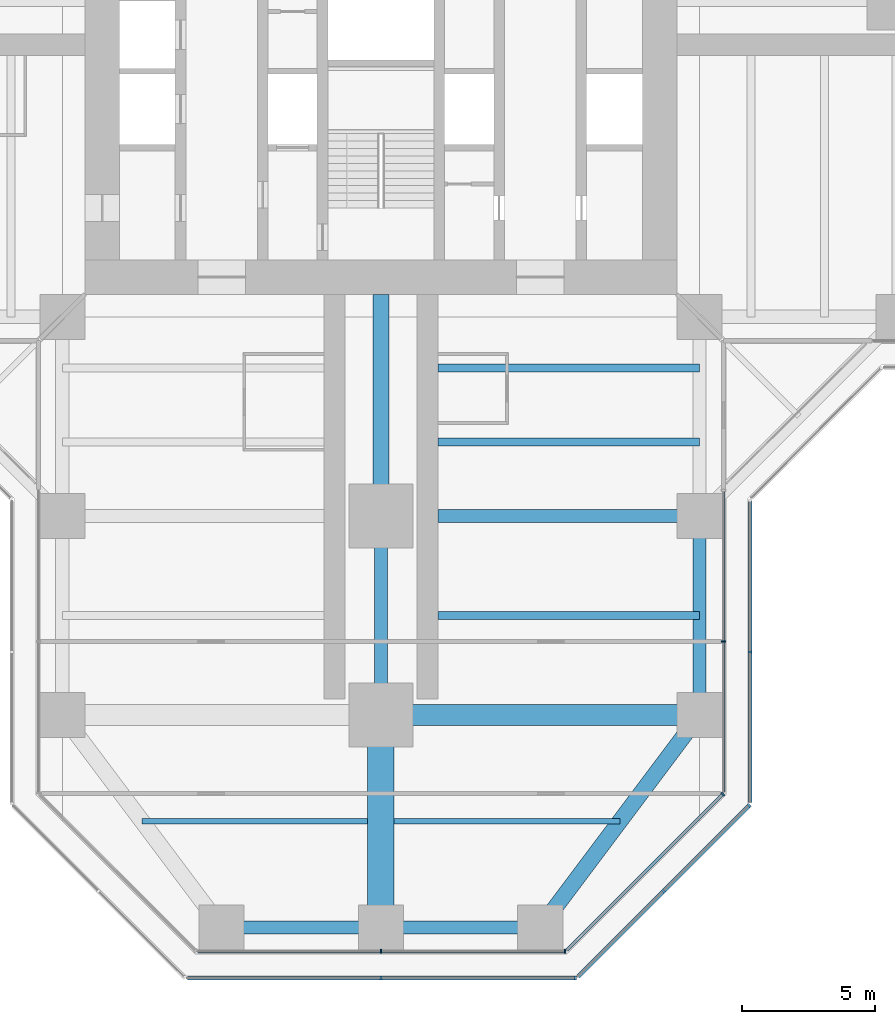
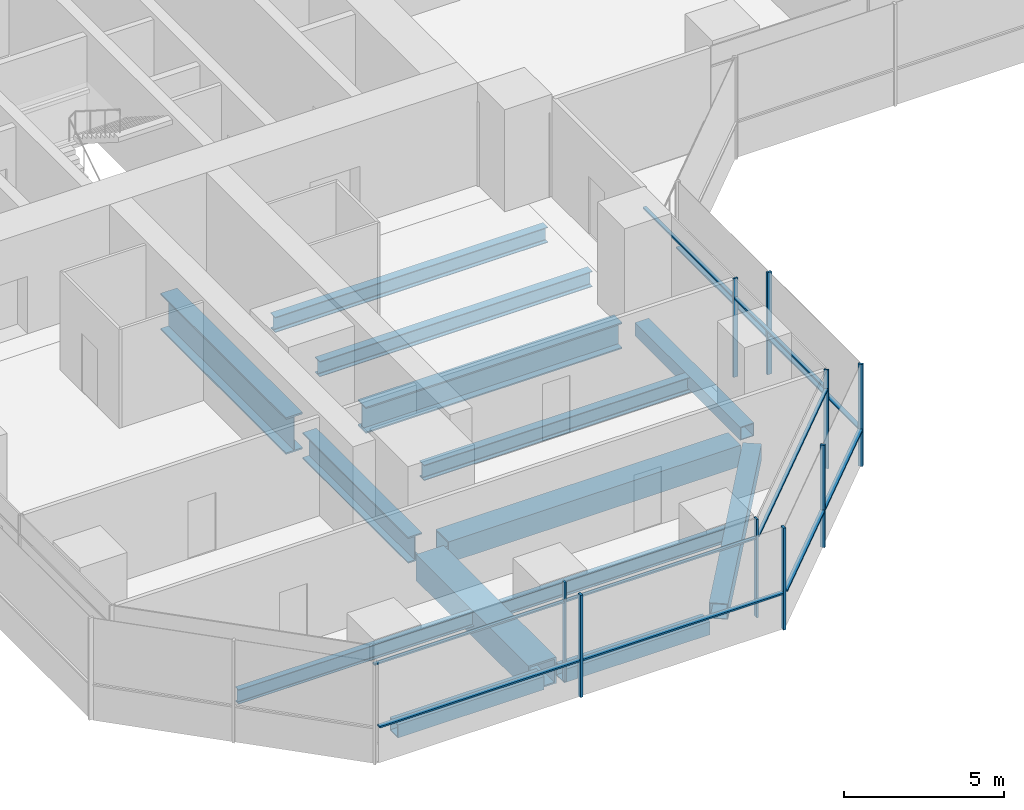
# One storey, part 5 of 22: 20 members, 14 beams, 6 elements without a shape of their own.
"""IFC4 building model written with IfcOpenShell, lengths in metres."""

import ifcopenshell
import ifcopenshell.guid

model = None  # the IFC model being written
_history = None  # IfcOwnerHistory: only IFC2X3 demands one
_inside = {}  # id of a spatial element -> (the spatial element, [elements in it])
_under = {}  # id of a project, library or spatial element -> (it, [spatial elements below it])
_declared = {}  # id of a project -> (the project, [libraries it declares])
_typed = {}  # id of a type object -> (the type object, [elements of that type])
_made_of = {}  # id of a material, layer set ... -> (it, [elements and type objects made of it])


def new_model(schema):
    """Start an empty IFC model of exactly this schema.

    Asked for "IFC4X3", IfcOpenShell would pick the latest addendum, in which some entities
    have other attributes; the version numbers below select the first issue.
    IFC2X3 requires an IfcOwnerHistory on every rooted entity: one is made here for all.
    """
    global model, _history
    if schema == "IFC4X3":
        model = ifcopenshell.file(schema_version=(4, 3, 0, 0))
    else:
        model = ifcopenshell.file(schema=schema)
    _inside.clear()
    _under.clear()
    _declared.clear()
    _typed.clear()
    _made_of.clear()
    _history = None
    if model.schema == "IFC2X3":
        org = make("IfcOrganization", Name="unknown")
        user = make(
            "IfcPersonAndOrganization",
            ThePerson=make("IfcPerson", FamilyName="unknown"),
            TheOrganization=org,
        )
        app = make(
            "IfcApplication",
            ApplicationDeveloper=org,
            Version="unknown",
            ApplicationFullName="unknown",
            ApplicationIdentifier="unknown",
        )
        _history = make(
            "IfcOwnerHistory",
            OwningUser=user,
            OwningApplication=app,
            ChangeAction="ADDED",
            CreationDate=0,
        )
    return model


def make(cls, **values):
    """One entity of the class cls with the attributes given. An attribute that is None is left unset."""
    return model.create_entity(
        cls, **{name: value for name, value in values.items() if value is not None}
    )


def rooted(cls, **values):
    """An entity with a GlobalId (a new one), such as an element, a storey or a relation."""
    return make(cls, GlobalId=ifcopenshell.guid.new(), OwnerHistory=_history, **values)


def si_unit(unit_type, name, prefix=None):
    """IfcSIUnit, for example si_unit("LENGTHUNIT", "METRE", prefix="MILLI")."""
    return make("IfcSIUnit", UnitType=unit_type, Prefix=prefix, Name=name)


def assignment(units):
    """IfcUnitAssignment: the units of a project."""
    return None if units is None else make("IfcUnitAssignment", Units=units)


def point(xyz):
    """IfcCartesianPoint."""
    return None if xyz is None else make("IfcCartesianPoint", Coordinates=xyz)


def direction(xyz):
    """IfcDirection."""
    return None if xyz is None else make("IfcDirection", DirectionRatios=xyz)


def frame(location, z_axis=None, x_axis=None):
    """IfcAxis2Placement3D, a coordinate frame: its origin and axes. An axis left out is left unset."""
    return make(
        "IfcAxis2Placement3D",
        Location=point(location),
        Axis=direction(z_axis),
        RefDirection=direction(x_axis),
    )


def frame_2d(location, x_axis=None):
    """IfcAxis2Placement2D, a coordinate frame in the plane: its origin and x axis."""
    return make(
        "IfcAxis2Placement2D", Location=point(location), RefDirection=direction(x_axis)
    )


def origin():
    """The frame at (0, 0, 0) with its axes left unset."""
    return frame((0.0, 0.0, 0.0))


def origin_2d():
    """The frame at (0, 0) in the plane with its x axis left unset."""
    return frame_2d((0.0, 0.0))


def place(relative_to, where):
    """IfcLocalPlacement: puts the frame where relative to a parent placement (None: the world)."""
    return make(
        "IfcLocalPlacement", PlacementRelTo=relative_to, RelativePlacement=where
    )


def context(
    kind, dimensions, precision=None, world=None, true_north=None, identifier=None
):
    """IfcGeometricRepresentationContext, for example the 3D "Model" context."""
    return make(
        "IfcGeometricRepresentationContext",
        ContextIdentifier=identifier,
        ContextType=kind,
        CoordinateSpaceDimension=dimensions,
        Precision=precision,
        WorldCoordinateSystem=world,
        TrueNorth=true_north,
    )


def subcontext(parent, identifier, kind, view, scale=None):
    """IfcGeometricRepresentationSubContext, for example "Body" below "Model"."""
    return make(
        "IfcGeometricRepresentationSubContext",
        ContextIdentifier=identifier,
        ContextType=kind,
        ParentContext=parent,
        TargetScale=scale,
        TargetView=view,
    )


def project(units=None, contexts=None):
    """IfcProject with its units and contexts."""
    return rooted(
        "IfcProject",
        Name="project",
        RepresentationContexts=contexts,
        UnitsInContext=assignment(units),
    )


def spatial(cls, under=None, at=None, **own):
    """A site, building, storey or space (cls), placed at a placement, below another one or the project."""
    s = rooted(cls, ObjectPlacement=at, **own)
    if under is not None:
        _under.setdefault(under.id(), (under, []))[1].append(s)
    return s


def profile(cls, at=None, kind="AREA", **sizes):
    """A parametric profile (cls). Its sizes go by their IFC names, for example OverallWidth=200.0."""
    return make(cls, ProfileType=kind, Position=at, **sizes)


def rectangle(**sizes):
    """IfcRectangleProfileDef."""
    return profile("IfcRectangleProfileDef", **sizes)


def hollow_rectangle(**sizes):
    """IfcRectangleHollowProfileDef."""
    return profile("IfcRectangleHollowProfileDef", **sizes)


def i_section(**sizes):
    """IfcIShapeProfileDef."""
    return profile("IfcIShapeProfileDef", **sizes)


def extrude(swept, where, along, depth):
    """IfcExtrudedAreaSolid: the profile swept, set in the frame where, extruded along a direction by depth."""
    return make(
        "IfcExtrudedAreaSolid",
        SweptArea=swept,
        Position=where,
        ExtrudedDirection=direction(along),
        Depth=depth,
    )


def shape(context_of_items, identifier, shape_type, items):
    """IfcShapeRepresentation: the items that make up one representation, for example the "Body"."""
    return make(
        "IfcShapeRepresentation",
        ContextOfItems=context_of_items,
        RepresentationIdentifier=identifier,
        RepresentationType=shape_type,
        Items=items,
    )


def material(Name=None, Category=None):
    """IfcMaterial."""
    return make("IfcMaterial", Name=Name, Category=Category)


def material_profile(
    of_material, cross_section, Name=None, Category=None, Priority=None
):
    """IfcMaterialProfile: a cross section and its material."""
    return make(
        "IfcMaterialProfile",
        Name=Name,
        Material=of_material,
        Profile=cross_section,
        Priority=Priority,
        Category=Category,
    )


def profile_set(profiles, Name=None, composite=None):
    """IfcMaterialProfileSet."""
    return make(
        "IfcMaterialProfileSet",
        Name=Name,
        MaterialProfiles=profiles,
        CompositeProfile=composite,
    )


def made_of(thing, what):
    """Note that an element or type object is made of a material, layer set ...; save() writes the relation."""
    if what is not None:
        _made_of.setdefault(what.id(), (what, []))[1].append(thing)
    return thing


def type_object(cls, material=None, **own):
    """A type object (cls), such as IfcWallType, which elements share."""
    return made_of(rooted(cls, **own), material)


def element(
    cls,
    number,
    at=None,
    inside=None,
    cuts=None,
    type_object=None,
    material=None,
    context=None,
    identifier="Body",
    shape_type=None,
    held_by="IfcProductDefinitionShape",
    body=None,
    shapes=None,
    **own,
):
    """One element of the class cls, such as IfcWall. Its Tag is "e" and its number.

    at: its placement. inside: the storey or other place that contains it. cuts: it is an
    opening in that element (IfcRelVoidsElement). A single representation is given by context,
    identifier, shape_type and body (its items); several are given by shapes. held_by: the class
    of the entity that holds the representations. save() writes the other relations.
    """
    e = rooted(cls, Tag="e%d" % number, ObjectPlacement=at, **own)
    if body is not None:
        shapes = [shape(context, identifier, shape_type, body)]
    if shapes is not None:
        e.Representation = make(held_by, Representations=shapes)
    if inside is not None:
        _inside.setdefault(inside.id(), (inside, []))[1].append(e)
    if cuts is not None:
        rooted(
            "IfcRelVoidsElement", RelatingBuildingElement=cuts, RelatedOpeningElement=e
        )
    if type_object is not None:
        _typed.setdefault(type_object.id(), (type_object, []))[1].append(e)
    return made_of(e, material)


def aggregate(whole, parts):
    """IfcRelAggregates: a whole, such as a stair, and the parts it consists of."""
    return rooted("IfcRelAggregates", RelatingObject=whole, RelatedObjects=parts)


def save(model, path):
    """Write the relations noted so far, then the file.

    IfcRelAggregates (storeys below a building ...), IfcRelContainedInSpatialStructure (elements
    in a storey), IfcRelDefinesByType, IfcRelAssociatesMaterial and IfcRelDeclares: one each for
    every whole, place, type object, material and project.
    """
    for whole, parts in _under.values():
        aggregate(whole, parts)
    for where, things in _inside.values():
        rooted(
            "IfcRelContainedInSpatialStructure",
            RelatedElements=things,
            RelatingStructure=where,
        )
    for kind, things in _typed.values():
        rooted("IfcRelDefinesByType", RelatedObjects=things, RelatingType=kind)
    for what, things in _made_of.values():
        rooted("IfcRelAssociatesMaterial", RelatedObjects=things, RelatingMaterial=what)
    for by, libraries in _declared.values():
        rooted("IfcRelDeclares", RelatingContext=by, RelatedDefinitions=libraries)
    model.write(path)


model = new_model("IFC4")

# Units and contexts
model_context = context("Model", 3, precision=1e-05, world=origin(), true_north=direction((0.0, 1.0)))
body_context = subcontext(model_context, "Body", "Model", "MODEL_VIEW")
ifc_project = project(units=[si_unit("LENGTHUNIT", "METRE"), si_unit("AREAUNIT", "SQUARE_METRE"), si_unit("VOLUMEUNIT", "CUBIC_METRE"), si_unit("PLANEANGLEUNIT", "RADIAN"), si_unit("MASSUNIT", "GRAM", prefix="KILO")], contexts=[model_context])

# Site, building, storey
site_placement = place(None, origin())
site = spatial("IfcSite", under=ifc_project, at=site_placement, CompositionType="ELEMENT")
building_placement = place(site_placement, origin())
building = spatial("IfcBuilding", under=site, at=building_placement, Name="Mizan Broadcast Tower", CompositionType="ELEMENT")
storey_placement = place(building_placement, frame((0.0, 0.0, 94.199951171875)))
storey = spatial("IfcBuildingStorey", under=building, at=storey_placement, Name="L20", CompositionType="ELEMENT", Elevation=94.199951171875)

# Beams
ifc_material_1 = material(Name="Steel S355", Category="steel")
ifc_material_profile_1 = material_profile(ifc_material_1, hollow_rectangle(XDim=0.5, YDim=0.5, WallThickness=0.030029296875, at=origin_2d()), Name="BOX 500x500x30")
ifc_profile_set_1 = profile_set([ifc_material_profile_1], Name="Steel S355")
beam_type_1 = type_object("IfcBeamType", Name="EDGE BEAM BOX 500x500x30", PredefinedType="SPANDREL", material=ifc_profile_set_1)
beam_1_placement = place(storey_placement, frame((-5.639892578125, -35.0, -0.3798828125), z_axis=(1.0, 0.0, 0.0), x_axis=(0.0, 1.0, 0.0)))
element("IfcBeam", 1, at=beam_1_placement, inside=storey, type_object=beam_type_1, Name="Edge beam BOX 500x500x30 L20 south arm", PredefinedType="SPANDREL", context=body_context, shape_type="SweptSolid", body=[
    extrude(hollow_rectangle(XDim=0.5, YDim=0.5, WallThickness=0.030029296875, at=origin_2d()), origin(), (0.0, 0.0, 1.0), 5.27978515625),
])
beam_2_placement = place(storey_placement, frame((12.0, -19.949951171875, -0.3798828125), z_axis=(0.0, -1.0, 0.0), x_axis=(1.0, 0.0, 0.0)))
element("IfcBeam", 2, at=beam_2_placement, inside=storey, type_object=beam_type_1, Name="Edge beam BOX 500x500x30 L20 south arm", PredefinedType="SPANDREL", context=body_context, shape_type="SweptSolid", body=[
    extrude(hollow_rectangle(XDim=0.5, YDim=0.5, WallThickness=0.030029296875, at=origin_2d()), origin(), (0.0, 0.0, 1.0), 6.60009765625),
])
beam_3_placement = place(storey_placement, frame((5.639892578125, -35.0, -0.3798828125), z_axis=(-1.0, 0.0, 0.0), x_axis=(0.0, -1.0, 0.0)))
element("IfcBeam", 3, at=beam_3_placement, inside=storey, type_object=beam_type_1, Name="Edge beam BOX 500x500x30 L20 south arm", PredefinedType="SPANDREL", context=body_context, shape_type="SweptSolid", body=[
    extrude(hollow_rectangle(XDim=0.5, YDim=0.5, WallThickness=0.030029296875, at=origin_2d()), origin(), (0.0, 0.0, 1.0), 5.27978515625),
])
ifc_material_2 = material(Name="Steel S355", Category="steel")
ifc_material_profile_2 = material_profile(ifc_material_2, hollow_rectangle(XDim=0.60009765625, YDim=0.60009765625, WallThickness=0.030029296875, at=origin_2d()), Name="BOX 600x600x30")
ifc_profile_set_2 = profile_set([ifc_material_profile_2], Name="Steel S355")
beam_type_2 = type_object("IfcBeamType", Name="EDGE BEAM BOX 600x600x30", PredefinedType="SPANDREL", material=ifc_profile_set_2)
beam_4_placement = place(storey_placement, frame((11.639892578125, -27.47998046875, -0.429931640625), z_axis=(-0.599982243973, -0.800013316712, 0.0), x_axis=(0.800013316712, -0.599982243973, 0.0)))
element("IfcBeam", 4, at=beam_4_placement, inside=storey, type_object=beam_type_2, Name="Edge beam BOX 600x600x30 L20 south arm", PredefinedType="SPANDREL", context=body_context, shape_type="SweptSolid", body=[
    extrude(hollow_rectangle(XDim=0.60009765625, YDim=0.60009765625, WallThickness=0.030029296875, at=origin_2d()), origin(), (0.0, 0.0, 1.0), 8.7998046875),
])
ifc_material_3 = material(Name="Steel S460", Category="steel")
ifc_material_profile_3 = material_profile(ifc_material_3, hollow_rectangle(XDim=1.0, YDim=1.0, WallThickness=0.06005859375, at=origin_2d()), Name="BOX 1000x1000x60")
ifc_profile_set_3 = profile_set([ifc_material_profile_3], Name="Steel S460")
beam_type_3 = type_object("IfcBeamType", Name="GIRDER BOX 1000x1000x60", PredefinedType="BEAM", material=ifc_profile_set_3)
beam_5_placement = place(storey_placement, frame((0.0, -27.47998046875, -0.6298828125), z_axis=(0.0, -1.0, 0.0), x_axis=(1.0, 0.0, 0.0)))
element("IfcBeam", 5, at=beam_5_placement, inside=storey, type_object=beam_type_3, Name="Girder BOX 1000x1000x60 L20 south arm", PredefinedType="BEAM", context=body_context, shape_type="SweptSolid", body=[
    extrude(hollow_rectangle(XDim=1.0, YDim=1.0, WallThickness=0.06005859375, at=origin_2d()), origin(), (0.0, 0.0, 1.0), 7.0400390625),
])
ifc_material_4 = material(Name="Steel S460", Category="steel")
ifc_material_profile_4 = material_profile(ifc_material_4, hollow_rectangle(XDim=0.800048828125, YDim=0.800048828125, WallThickness=0.050048828125, at=origin_2d()), Name="BOX 800x800x50")
ifc_profile_set_4 = profile_set([ifc_material_profile_4], Name="Steel S460")
beam_type_4 = type_object("IfcBeamType", Name="GIRDER BOX 800x800x50", PredefinedType="BEAM", material=ifc_profile_set_4)
beam_6_placement = place(storey_placement, frame((11.280029296875, -27.0, -0.530029296875), z_axis=(-1.0, 0.0, 0.0), x_axis=(0.0, -1.0, 0.0)))
element("IfcBeam", 6, at=beam_6_placement, inside=storey, type_object=beam_type_4, Name="Girder BOX 800x800x50 L20 south arm", PredefinedType="BEAM", context=body_context, shape_type="SweptSolid", body=[
    extrude(hollow_rectangle(XDim=0.800048828125, YDim=0.800048828125, WallThickness=0.050048828125, at=origin_2d()), origin(), (0.0, 0.0, 1.0), 10.56005859375),
])
ifc_material_5 = material(Name="Steel S460", Category="steel")
ifc_material_profile_5 = material_profile(ifc_material_5, i_section(OverallWidth=0.5, OverallDepth=1.0, WebThickness=0.02490234375, FlangeThickness=0.050048828125, at=origin_2d()), Name="WPG 1000x500")
ifc_profile_set_5 = profile_set([ifc_material_profile_5], Name="Steel S460")
beam_type_5 = type_object("IfcBeamType", Name="GIRDER WPG 1000x500", PredefinedType="BEAM", material=ifc_profile_set_5)
beam_7_placement = place(storey_placement, frame((0.0, -19.949951171875, -0.6298828125), z_axis=(0.0, -1.0, 0.0), x_axis=(1.0, 0.0, 0.0)))
element("IfcBeam", 7, at=beam_7_placement, inside=storey, type_object=beam_type_5, Name="Girder WPG 1000x500 L20 south arm", PredefinedType="BEAM", context=body_context, shape_type="SweptSolid", body=[
    extrude(i_section(OverallWidth=0.5, OverallDepth=1.0, WebThickness=0.02490234375, FlangeThickness=0.050048828125, at=origin_2d()), origin(), (0.0, 0.0, 1.0), 6.60009765625),
])
beam_8_placement = place(storey_placement, frame((11.408935546875, -19.5, -0.6298828125), z_axis=(-1.0, 0.0, 0.0), x_axis=(0.0, -1.0, 0.0)))
element("IfcBeam", 8, at=beam_8_placement, inside=storey, type_object=beam_type_5, Name="Girder WPG 1000x500 L20 south arm", PredefinedType="BEAM", context=body_context, shape_type="SweptSolid", body=[
    extrude(i_section(OverallWidth=0.5, OverallDepth=1.0, WebThickness=0.02490234375, FlangeThickness=0.050048828125, at=origin_2d()), origin(), (0.0, 0.0, 1.0), 9.259033203125),
])
ifc_material_6 = material(Name="Steel S460", Category="steel")
ifc_material_profile_6 = material_profile(ifc_material_6, i_section(OverallWidth=0.60009765625, OverallDepth=1.39990234375, WebThickness=0.02490234375, FlangeThickness=0.06005859375, at=origin_2d()), Name="WPG 1400x600")
ifc_profile_set_6 = profile_set([ifc_material_profile_6], Name="Steel S460")
beam_type_6 = type_object("IfcBeamType", Name="GIRDER WPG 1400x600", PredefinedType="BEAM", material=ifc_profile_set_6)
beam_9_placement = place(storey_placement, frame((0.0, -11.14990234375, -0.829833984375), z_axis=(0.0, -1.0, 0.0), x_axis=(1.0, 0.0, 0.0)))
element("IfcBeam", 9, at=beam_9_placement, inside=storey, type_object=beam_type_6, Name="Girder WPG 1400x600 L20 south arm", PredefinedType="BEAM", context=body_context, shape_type="SweptSolid", body=[
    extrude(i_section(OverallWidth=0.60009765625, OverallDepth=1.39990234375, WebThickness=0.02490234375, FlangeThickness=0.06005859375, at=origin_2d()), origin(), (0.0, 0.0, 1.0), 7.84912109375),
])

# Curtain wall, members
ifc_material_7 = material(Name="Aluminium framed glazing", Category="aluminium")
curtain_wall_type_1 = type_object("IfcCurtainWallType", Name="INNER SKIN LOW ZONE", PredefinedType="USERDEFINED", material=ifc_material_7)
curtain_wall_1_placement = place(storey_placement, origin())
curtain_wall_1 = element("IfcCurtainWall", 10, at=curtain_wall_1_placement, inside=storey, type_object=curtain_wall_type_1, Name="Inner skin low zone L20 S end", ObjectType="INNER SKIN LOW ZONE", PredefinedType="USERDEFINED")
ifc_material_8 = material(Name="Aluminium, pale anodised", Category="aluminium")
ifc_material_profile_7 = material_profile(ifc_material_8, rectangle(XDim=0.159912109375, YDim=0.06005859375, at=origin_2d()), Name="MULLION 160x60")
ifc_profile_set_7 = profile_set([ifc_material_profile_7], Name="Aluminium, pale anodised")
member_type_1 = type_object("IfcMemberType", Name="INNER SKIN MULLION 60x160", PredefinedType="MULLION", material=ifc_profile_set_7)
member_1_placement = place(storey_placement, frame((0.0, -35.89990234375, 0.0), z_axis=(0.0, 0.0, 1.0), x_axis=(0.0, 1.0, 0.0)))
member_1 = element("IfcMember", 11, at=member_1_placement, type_object=member_type_1, Name="Inner skin low zone L20 S end mullion 2", PredefinedType="MULLION", context=body_context, shape_type="SweptSolid", body=[
    extrude(rectangle(XDim=0.159912109375, YDim=0.06005859375, at=origin_2d()), origin(), (0.0, 0.0, 1.0), 3.77001953125),
])
member_2_placement = place(storey_placement, frame((6.928466796875, -35.89990234375, 0.0), z_axis=(0.0, 0.0, 1.0), x_axis=(0.0, 1.0, 0.0)))
member_2 = element("IfcMember", 12, at=member_2_placement, type_object=member_type_1, Name="Inner skin low zone L20 S end mullion 3", PredefinedType="MULLION", context=body_context, shape_type="SweptSolid", body=[
    extrude(rectangle(XDim=0.159912109375, YDim=0.06005859375, at=origin_2d()), origin(), (0.0, 0.0, 1.0), 3.77001953125),
])

# Curtain wall, member
curtain_wall_2_placement = place(storey_placement, origin())
curtain_wall_2 = element("IfcCurtainWall", 13, at=curtain_wall_2_placement, inside=storey, type_object=curtain_wall_type_1, Name="Inner skin low zone L20 S chamfer", ObjectType="INNER SKIN LOW ZONE", PredefinedType="USERDEFINED")
member_3_placement = place(storey_placement, frame((12.87890625, -29.979736328125, 0.0), z_axis=(0.0, 0.0, 1.0), x_axis=(-0.707106781187, 0.707106781187, 0.0)))
member_3 = element("IfcMember", 14, at=member_3_placement, type_object=member_type_1, Name="Inner skin low zone L20 S chamfer mullion 2", PredefinedType="MULLION", context=body_context, shape_type="SweptSolid", body=[
    extrude(rectangle(XDim=0.159912109375, YDim=0.06005859375, at=origin_2d()), origin(), (0.0, 0.0, 1.0), 3.77001953125),
])

curtain_wall_3_placement = place(storey_placement, origin())
curtain_wall_3 = element("IfcCurtainWall", 15, at=curtain_wall_3_placement, inside=storey, type_object=curtain_wall_type_1, Name="Inner skin low zone L20 S side", ObjectType="INNER SKIN LOW ZONE", PredefinedType="USERDEFINED")
member_4_placement = place(storey_placement, frame((12.89990234375, -24.229248046875, 0.0), z_axis=(0.0, 0.0, 1.0), x_axis=(-1.0, 0.0, 0.0)))
member_4 = element("IfcMember", 16, at=member_4_placement, type_object=member_type_1, Name="Inner skin low zone L20 S side mullion 2", PredefinedType="MULLION", context=body_context, shape_type="SweptSolid", body=[
    extrude(rectangle(XDim=0.159912109375, YDim=0.06005859375, at=origin_2d()), origin(), (0.0, 0.0, 1.0), 3.77001953125),
])

# Member
ifc_material_9 = material(Name="Aluminium, pale anodised", Category="aluminium")
ifc_material_profile_8 = material_profile(ifc_material_9, rectangle(XDim=0.1201171875, YDim=0.06005859375, at=origin_2d()), Name="TRANSOM 120x60")
ifc_profile_set_8 = profile_set([ifc_material_profile_8], Name="Aluminium, pale anodised")
member_type_2 = type_object("IfcMemberType", Name="INNER SKIN TRANSOM 60x120", PredefinedType="USERDEFINED", material=ifc_profile_set_8)
member_5_placement = place(storey_placement, frame((-6.898681640625, -35.89990234375, 3.030029296875), z_axis=(1.0, 0.0, 0.0), x_axis=(0.0, 1.0, 0.0)))
member_5 = element("IfcMember", 17, at=member_5_placement, type_object=member_type_2, Name="Inner skin low zone L20 S end transom 1.1", ObjectType="TRANSOM", PredefinedType="USERDEFINED", context=body_context, shape_type="SweptSolid", body=[
    extrude(rectangle(XDim=0.1201171875, YDim=0.06005859375, at=origin_2d()), origin(), (0.0, 0.0, 1.0), 6.86865234375),
])

member_6_placement = place(storey_placement, frame((0.030029296875, -35.89990234375, 3.030029296875), z_axis=(1.0, 0.0, 0.0), x_axis=(0.0, 1.0, 0.0)))
member_6 = element("IfcMember", 18, at=member_6_placement, type_object=member_type_2, Name="Inner skin low zone L20 S end transom 2.1", ObjectType="TRANSOM", PredefinedType="USERDEFINED", context=body_context, shape_type="SweptSolid", body=[
    extrude(rectangle(XDim=0.1201171875, YDim=0.06005859375, at=origin_2d()), origin(), (0.0, 0.0, 1.0), 6.86865234375),
])

aggregate(curtain_wall_1, [member_1, member_2, member_5, member_6])

member_7_placement = place(storey_placement, frame((7.0009765625, -35.857666015625, 3.030029296875), z_axis=(0.707106781187, 0.707106781187, 0.0), x_axis=(-0.707106781187, 0.707106781187, 0.0)))
member_7 = element("IfcMember", 19, at=member_7_placement, type_object=member_type_2, Name="Inner skin low zone L20 S chamfer transom 1.1", ObjectType="TRANSOM", PredefinedType="USERDEFINED", context=body_context, shape_type="SweptSolid", body=[
    extrude(rectangle(XDim=0.1201171875, YDim=0.06005859375, at=origin_2d()), origin(), (0.0, 0.0, 1.0), 8.28271484375),
])

aggregate(curtain_wall_2, [member_3, member_7])

member_8_placement = place(storey_placement, frame((12.89990234375, -29.898681640625, 3.030029296875), z_axis=(0.0, 1.0, 0.0), x_axis=(-1.0, 0.0, 0.0)))
member_8 = element("IfcMember", 20, at=member_8_placement, type_object=member_type_2, Name="Inner skin low zone L20 S side transom 1.1", ObjectType="TRANSOM", PredefinedType="USERDEFINED", context=body_context, shape_type="SweptSolid", body=[
    extrude(rectangle(XDim=0.1201171875, YDim=0.06005859375, at=origin_2d()), origin(), (0.0, 0.0, 1.0), 5.639404296875),
])

member_9_placement = place(storey_placement, frame((12.89990234375, -24.19921875, 3.030029296875), z_axis=(0.0, 1.0, 0.0), x_axis=(-1.0, 0.0, 0.0)))
member_9 = element("IfcMember", 21, at=member_9_placement, type_object=member_type_2, Name="Inner skin low zone L20 S side transom 2.1", ObjectType="TRANSOM", PredefinedType="USERDEFINED", context=body_context, shape_type="SweptSolid", body=[
    extrude(rectangle(XDim=0.1201171875, YDim=0.06005859375, at=origin_2d()), origin(), (0.0, 0.0, 1.0), 5.63916015625),
])

aggregate(curtain_wall_3, [member_4, member_8, member_9])

# Curtain wall, members
ifc_material_10 = material(Name="Aluminium framed glazing", Category="aluminium")
curtain_wall_type_2 = type_object("IfcCurtainWallType", Name="OUTER SKIN", PredefinedType="USERDEFINED", material=ifc_material_10)
curtain_wall_4_placement = place(storey_placement, origin())
curtain_wall_4 = element("IfcCurtainWall", 22, at=curtain_wall_4_placement, inside=storey, type_object=curtain_wall_type_2, Name="Outer skin L20 S end", ObjectType="OUTER SKIN", PredefinedType="USERDEFINED")
ifc_material_11 = material(Name="Aluminium, pale anodised", Category="aluminium")
ifc_material_profile_9 = material_profile(ifc_material_11, rectangle(XDim=0.159912109375, YDim=0.080078125, at=origin_2d()), Name="MULLION 160x80")
ifc_profile_set_9 = profile_set([ifc_material_profile_9], Name="Aluminium, pale anodised")
member_type_3 = type_object("IfcMemberType", Name="OUTER SKIN MULLION 80x160", PredefinedType="MULLION", material=ifc_profile_set_9)
member_10_placement = place(storey_placement, frame((0.0, -36.89990234375, 0.0), z_axis=(0.0, 0.0, 1.0), x_axis=(0.0, 1.0, 0.0)))
member_10 = element("IfcMember", 23, at=member_10_placement, type_object=member_type_3, Name="Outer skin L20 S end mullion 2", PredefinedType="MULLION", context=body_context, shape_type="SweptSolid", body=[
    extrude(rectangle(XDim=0.159912109375, YDim=0.080078125, at=origin_2d()), origin(), (0.0, 0.0, 1.0), 3.900146484375),
])
member_11_placement = place(storey_placement, frame((7.332763671875, -36.89990234375, 0.0), z_axis=(0.0, 0.0, 1.0), x_axis=(0.0, 1.0, 0.0)))
member_11 = element("IfcMember", 24, at=member_11_placement, type_object=member_type_3, Name="Outer skin L20 S end mullion 3", PredefinedType="MULLION", context=body_context, shape_type="SweptSolid", body=[
    extrude(rectangle(XDim=0.159912109375, YDim=0.080078125, at=origin_2d()), origin(), (0.0, 0.0, 1.0), 3.900146484375),
])

curtain_wall_5_placement = place(storey_placement, origin())
curtain_wall_5 = element("IfcCurtainWall", 25, at=curtain_wall_5_placement, inside=storey, type_object=curtain_wall_type_2, Name="Outer skin L20 S chamfer", ObjectType="OUTER SKIN", PredefinedType="USERDEFINED")
member_12_placement = place(storey_placement, frame((10.636474609375, -33.636474609375, 0.0), z_axis=(0.0, 0.0, 1.0), x_axis=(-0.707106781187, 0.707106781187, 0.0)))
member_12 = element("IfcMember", 26, at=member_12_placement, type_object=member_type_3, Name="Outer skin L20 S chamfer mullion 2", PredefinedType="MULLION", context=body_context, shape_type="SweptSolid", body=[
    extrude(rectangle(XDim=0.159912109375, YDim=0.080078125, at=origin_2d()), origin(), (0.0, 0.0, 1.0), 3.900146484375),
])
member_13_placement = place(storey_placement, frame((13.871826171875, -30.401123046875, 0.0), z_axis=(0.0, 0.0, 1.0), x_axis=(-0.707106781187, 0.707106781187, 0.0)))
member_13 = element("IfcMember", 27, at=member_13_placement, type_object=member_type_3, Name="Outer skin L20 S chamfer mullion 3", PredefinedType="MULLION", context=body_context, shape_type="SweptSolid", body=[
    extrude(rectangle(XDim=0.159912109375, YDim=0.080078125, at=origin_2d()), origin(), (0.0, 0.0, 1.0), 3.900146484375),
])

# Curtain wall, member
curtain_wall_6_placement = place(storey_placement, origin())
curtain_wall_6 = element("IfcCurtainWall", 28, at=curtain_wall_6_placement, inside=storey, type_object=curtain_wall_type_2, Name="Outer skin L20 S side", ObjectType="OUTER SKIN", PredefinedType="USERDEFINED")
member_14_placement = place(storey_placement, frame((13.89990234375, -24.622802734375, 0.0), z_axis=(0.0, 0.0, 1.0), x_axis=(-1.0, 0.0, 0.0)))
member_14 = element("IfcMember", 29, at=member_14_placement, type_object=member_type_3, Name="Outer skin L20 S side mullion 2", PredefinedType="MULLION", context=body_context, shape_type="SweptSolid", body=[
    extrude(rectangle(XDim=0.159912109375, YDim=0.080078125, at=origin_2d()), origin(), (0.0, 0.0, 1.0), 3.900146484375),
])

# Member
ifc_material_12 = material(Name="Aluminium, pale anodised", Category="aluminium")
ifc_material_profile_10 = material_profile(ifc_material_12, rectangle(XDim=0.159912109375, YDim=0.06005859375, at=origin_2d()), Name="TRANSOM 160x60")
ifc_profile_set_10 = profile_set([ifc_material_profile_10], Name="Aluminium, pale anodised")
member_type_4 = type_object("IfcMemberType", Name="OUTER SKIN TRANSOM 60x160", PredefinedType="USERDEFINED", material=ifc_profile_set_10)
member_15_placement = place(storey_placement, frame((-7.292724609375, -36.89990234375, 1.400146484375), z_axis=(1.0, 0.0, 0.0), x_axis=(0.0, 1.0, 0.0)))
member_15 = element("IfcMember", 30, at=member_15_placement, type_object=member_type_4, Name="Outer skin L20 S end transom 1.1", ObjectType="TRANSOM", PredefinedType="USERDEFINED", context=body_context, shape_type="SweptSolid", body=[
    extrude(rectangle(XDim=0.159912109375, YDim=0.06005859375, at=origin_2d()), origin(), (0.0, 0.0, 1.0), 7.252685546875),
])

member_16_placement = place(storey_placement, frame((0.0400390625, -36.89990234375, 1.400146484375), z_axis=(1.0, 0.0, 0.0), x_axis=(0.0, 1.0, 0.0)))
member_16 = element("IfcMember", 31, at=member_16_placement, type_object=member_type_4, Name="Outer skin L20 S end transom 2.1", ObjectType="TRANSOM", PredefinedType="USERDEFINED", context=body_context, shape_type="SweptSolid", body=[
    extrude(rectangle(XDim=0.159912109375, YDim=0.06005859375, at=origin_2d()), origin(), (0.0, 0.0, 1.0), 7.252685546875),
])

aggregate(curtain_wall_4, [member_10, member_11, member_15, member_16])

member_17_placement = place(storey_placement, frame((7.429443359375, -36.843505859375, 1.400146484375), z_axis=(0.707106781187, 0.707106781187, 0.0), x_axis=(-0.707106781187, 0.707106781187, 0.0)))
member_17 = element("IfcMember", 32, at=member_17_placement, type_object=member_type_4, Name="Outer skin L20 S chamfer transom 1.1", ObjectType="TRANSOM", PredefinedType="USERDEFINED", context=body_context, shape_type="SweptSolid", body=[
    extrude(rectangle(XDim=0.159912109375, YDim=0.06005859375, at=origin_2d()), origin(), (0.0, 0.0, 1.0), 4.495361328125),
])

member_18_placement = place(storey_placement, frame((10.664794921875, -33.608154296875, 1.400146484375), z_axis=(0.707106781187, 0.707106781187, 0.0), x_axis=(-0.707106781187, 0.707106781187, 0.0)))
member_18 = element("IfcMember", 33, at=member_18_placement, type_object=member_type_4, Name="Outer skin L20 S chamfer transom 2.1", ObjectType="TRANSOM", PredefinedType="USERDEFINED", context=body_context, shape_type="SweptSolid", body=[
    extrude(rectangle(XDim=0.159912109375, YDim=0.06005859375, at=origin_2d()), origin(), (0.0, 0.0, 1.0), 4.495361328125),
])

aggregate(curtain_wall_5, [member_12, member_13, member_17, member_18])

member_19_placement = place(storey_placement, frame((13.89990234375, -30.292724609375, 1.400146484375), z_axis=(0.0, 1.0, 0.0), x_axis=(-1.0, 0.0, 0.0)))
member_19 = element("IfcMember", 34, at=member_19_placement, type_object=member_type_4, Name="Outer skin L20 S side transom 1.1", ObjectType="TRANSOM", PredefinedType="USERDEFINED", context=body_context, shape_type="SweptSolid", body=[
    extrude(rectangle(XDim=0.159912109375, YDim=0.06005859375, at=origin_2d()), origin(), (0.0, 0.0, 1.0), 5.6298828125),
])

member_20_placement = place(storey_placement, frame((13.89990234375, -24.582763671875, 1.400146484375), z_axis=(0.0, 1.0, 0.0), x_axis=(-1.0, 0.0, 0.0)))
member_20 = element("IfcMember", 35, at=member_20_placement, type_object=member_type_4, Name="Outer skin L20 S side transom 2.1", ObjectType="TRANSOM", PredefinedType="USERDEFINED", context=body_context, shape_type="SweptSolid", body=[
    extrude(rectangle(XDim=0.159912109375, YDim=0.06005859375, at=origin_2d()), origin(), (0.0, 0.0, 1.0), 5.6298828125),
])

aggregate(curtain_wall_6, [member_14, member_19, member_20])

# Beams
ifc_material_13 = material(Name="Steel S355", Category="steel")
ifc_material_profile_11 = material_profile(ifc_material_13, i_section(OverallWidth=0.300048828125, OverallDepth=0.590087890625, WebThickness=0.012939453125, FlangeThickness=0.02490234375, FilletRadius=0.027099609375, at=origin_2d()), Name="HEA 600")
ifc_profile_set_11 = profile_set([ifc_material_profile_11], Name="Steel S355")
beam_type_7 = type_object("IfcBeamType", Name="SECONDARY BEAM HEA 600", PredefinedType="JOIST", material=ifc_profile_set_11)
for number, where, z_axis, x_axis, name in (
    (36, (12.0, -13.933349609375, -0.425048828125), (-1.0, 0.0, 0.0), (0.0, -1.0, 0.0), "Secondary beam HEA 600 L20 south arm"),
    (37, (12.0, -16.716552734375, -0.425048828125), (-1.0, 0.0, 0.0), (0.0, -1.0, 0.0), "Secondary beam HEA 600 L20 south arm"),
    (38, (12.0, -23.25, -0.425048828125), (-1.0, 0.0, 0.0), (0.0, -1.0, 0.0), "Secondary beam HEA 600 L20 south arm"),
):
    element("IfcBeam", number, at=place(storey_placement, frame(where, z_axis=z_axis, x_axis=x_axis)), inside=storey, type_object=beam_type_7, Name=name, PredefinedType="JOIST", context=body_context, shape_type="SweptSolid", body=[
        extrude(i_section(OverallWidth=0.300048828125, OverallDepth=0.590087890625, WebThickness=0.012939453125, FlangeThickness=0.02490234375, FilletRadius=0.027099609375, at=origin_2d()), origin(), (0.0, 0.0, 1.0), 9.85009765625),
    ])
ifc_material_14 = material(Name="Steel S355", Category="steel")
ifc_material_profile_12 = material_profile(ifc_material_14, i_section(OverallWidth=0.2099609375, OverallDepth=0.550048828125, WebThickness=0.010986328125, FlangeThickness=0.01708984375, FilletRadius=0.02392578125, at=origin_2d()), Name="IPE 550")
ifc_profile_set_12 = profile_set([ifc_material_profile_12], Name="Steel S355")
beam_type_8 = type_object("IfcBeamType", Name="SECONDARY BEAM IPE 550", PredefinedType="JOIST", material=ifc_profile_set_12)
for number, where, z_axis, x_axis, name in (
    (39, (-9.0, -31.0, -0.405029296875), (1.0, 0.0, 0.0), (0.0, 1.0, 0.0), "Secondary beam IPE 550 L20 south arm"),
    (40, (9.0, -31.0, -0.405029296875), (-1.0, 0.0, 0.0), (0.0, -1.0, 0.0), "Secondary beam IPE 550 L20 south arm"),
):
    element("IfcBeam", number, at=place(storey_placement, frame(where, z_axis=z_axis, x_axis=x_axis)), inside=storey, type_object=beam_type_8, Name=name, PredefinedType="JOIST", context=body_context, shape_type="SweptSolid", body=[
        extrude(i_section(OverallWidth=0.2099609375, OverallDepth=0.550048828125, WebThickness=0.010986328125, FlangeThickness=0.01708984375, FilletRadius=0.02392578125, at=origin_2d()), origin(), (0.0, 0.0, 1.0), 8.5),
    ])

save(model, "model.ifc")
